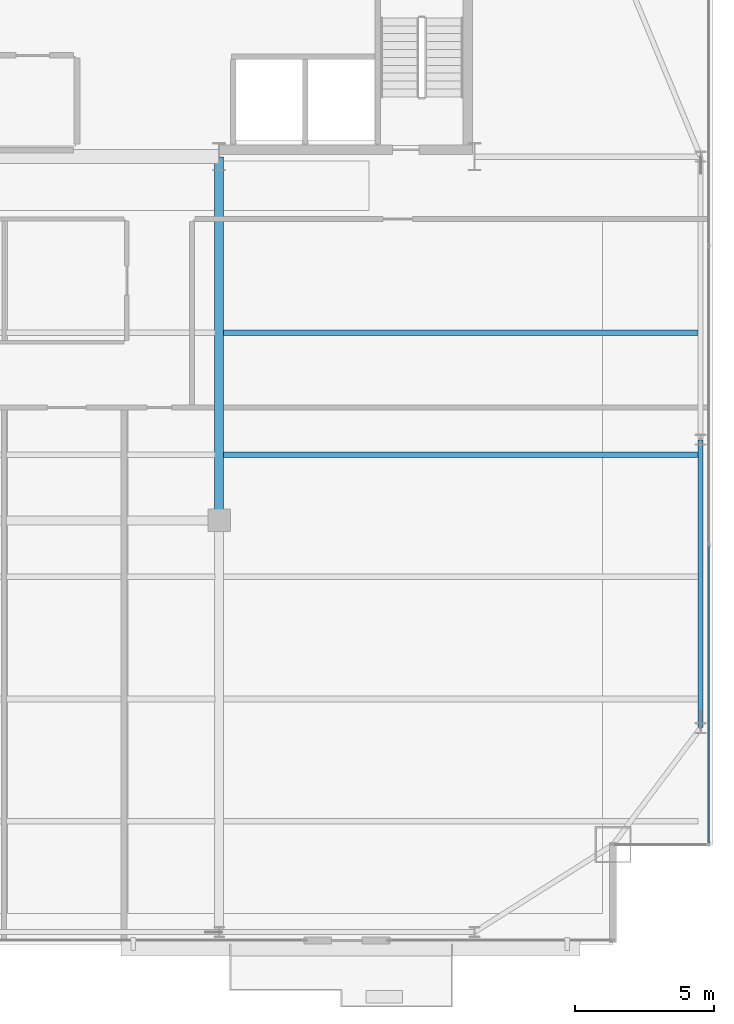
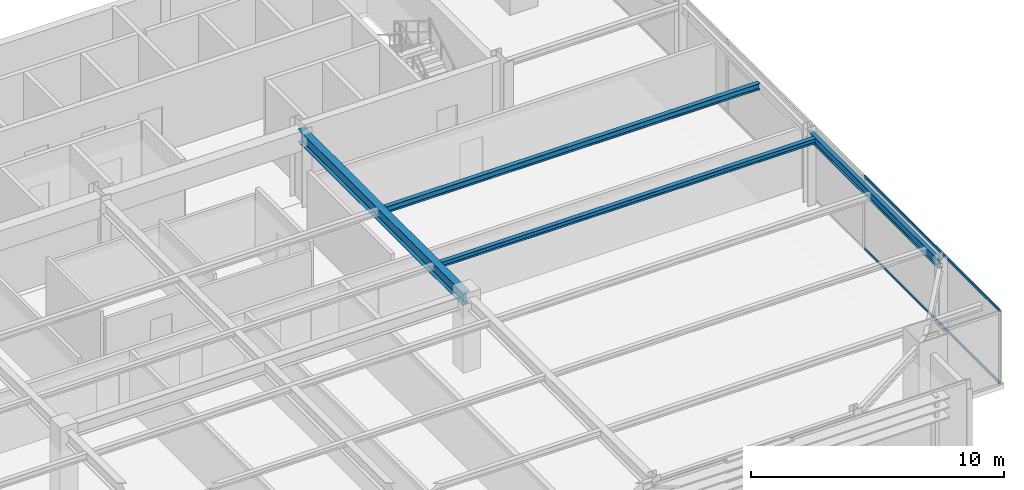
# One storey, part 17 of 31: 4 beams, 2 members, 1 element without a shape of its own.
"""IFC4 building model written with IfcOpenShell, lengths in metres."""

from ifc_helpers import new_model, si_unit, direction, frame, origin, origin_2d, place, context, subcontext, project, spatial, hollow_rectangle, i_section, extrude, source, transform, mapped, material, layer, layer_set, material_profile, profile_set, type_object, type_shapes, element, aggregate, save


model = new_model("IFC4")

# Units and contexts
model_context = context("Model", 3, precision=1e-05, world=origin(), true_north=direction((0.0, 1.0)))
body_context = subcontext(model_context, "Body", "Model", "MODEL_VIEW")
ifc_project = project(units=[si_unit("LENGTHUNIT", "METRE"), si_unit("AREAUNIT", "SQUARE_METRE"), si_unit("VOLUMEUNIT", "CUBIC_METRE"), si_unit("PLANEANGLEUNIT", "RADIAN"), si_unit("MASSUNIT", "GRAM", prefix="KILO")], contexts=[model_context])

# Site, building, storey
site_placement = place(None, origin())
site = spatial("IfcSite", under=ifc_project, at=site_placement, CompositionType="ELEMENT")
building_placement = place(site_placement, origin())
building = spatial("IfcBuilding", under=site, at=building_placement, Name="Varnel Quay Broadcast Tower", CompositionType="ELEMENT")
storey_placement = place(building_placement, frame((0.0, 0.0, 157.199951171875)))
storey = spatial("IfcBuildingStorey", under=building, at=storey_placement, Name="L38", CompositionType="ELEMENT", Elevation=157.199951171875)

# Beams
ifc_material_1 = material(Name="Structural Steel CSA G40.21 350W", Category="steel")
ifc_material_profile_1 = material_profile(ifc_material_1, i_section(OverallWidth=0.180908203125, OverallDepth=0.4169921875, WebThickness=0.010986328125, FlangeThickness=0.018310546875, FilletRadius=0.011962890625, at=origin_2d()), Name="W410X85")
ifc_profile_set_1 = profile_set([ifc_material_profile_1], Name="Structural Steel CSA G40.21 350W")
beam_type_1 = type_object("IfcBeamType", Name="Beam_W410X85", PredefinedType="SPANDREL", material=ifc_profile_set_1)
shared_shape_1 = source(origin(), body_context, "Body", "SweptSolid", [
    extrude(i_section(OverallWidth=0.180908203125, OverallDepth=0.4169921875, WebThickness=0.010986328125, FlangeThickness=0.018310546875, FilletRadius=0.011962890625, at=origin_2d()), origin(), (0.0, 0.0, 1.0), 10.35986328125),
])
type_shapes(beam_type_1, [shared_shape_1])
beam_1_placement = place(storey_placement, frame((60.550048828125, 15.02001953125, 3.341552734375), z_axis=(0.0, 1.0, 0.0), x_axis=(-1.0, 0.0, 0.0)))
element("IfcBeam", 1, at=beam_1_placement, inside=storey, type_object=beam_type_1, Name="L38 East Spandrel TC-E1-TC-E2", PredefinedType="SPANDREL", context=body_context, shape_type="MappedRepresentation", body=[
    mapped(shared_shape_1, transform((0.0, 0.0, 0.0), x_axis=(1.0, 0.0, 0.0), y_axis=(0.0, 1.0, 0.0), z_axis=(0.0, 0.0, 1.0), scale=1.0)),
])
ifc_material_profile_2 = material_profile(ifc_material_1, i_section(OverallWidth=0.324951171875, OverallDepth=0.615966796875, WebThickness=0.013916015625, FlangeThickness=0.021484375, FilletRadius=0.01611328125, at=origin_2d()), Name="W610X174")
ifc_profile_set_2 = profile_set([ifc_material_profile_2], Name="Structural Steel CSA G40.21 350W")
beam_type_2 = type_object("IfcBeamType", Name="Girder_W610X174", PredefinedType="BEAM", material=ifc_profile_set_2)
shared_shape_2 = source(origin(), body_context, "Body", "SweptSolid", [
    extrude(i_section(OverallWidth=0.324951171875, OverallDepth=0.615966796875, WebThickness=0.013916015625, FlangeThickness=0.021484375, FilletRadius=0.01611328125, at=origin_2d()), origin(), (0.0, 0.0, 1.0), 13.070068359375),
])
type_shapes(beam_type_2, [shared_shape_2])
beam_2_placement = place(storey_placement, frame((43.199951171875, 22.510009765625, 3.241943359375), z_axis=(0.0, 1.0, 0.0), x_axis=(-1.0, 0.0, 0.0)))
element("IfcBeam", 2, at=beam_2_placement, inside=storey, type_object=beam_type_2, Name="L38 Primary Girder IC-02-CC-S4", PredefinedType="BEAM", context=body_context, shape_type="MappedRepresentation", body=[
    mapped(shared_shape_2, transform((0.0, 0.0, 0.0), x_axis=(1.0, 0.0, 0.0), y_axis=(0.0, 1.0, 0.0), z_axis=(0.0, 0.0, 1.0), scale=1.0)),
])
ifc_material_profile_3 = material_profile(ifc_material_1, i_section(OverallWidth=0.202880859375, OverallDepth=0.302978515625, WebThickness=0.007568359375, FlangeThickness=0.01318359375, FilletRadius=0.011962890625, at=origin_2d()), Name="W310X60")
ifc_profile_set_3 = profile_set([ifc_material_profile_3], Name="Structural Steel CSA G40.21 350W")
beam_type_3 = type_object("IfcBeamType", Name="Beam_W310X60", PredefinedType="JOIST", material=ifc_profile_set_3)
shared_shape_3 = source(origin(), body_context, "Body", "SweptSolid", [
    extrude(i_section(OverallWidth=0.202880859375, OverallDepth=0.302978515625, WebThickness=0.007568359375, FlangeThickness=0.01318359375, FilletRadius=0.011962890625, at=origin_2d()), origin(), (0.0, 0.0, 1.0), 17.107177734375),
])
type_shapes(beam_type_3, [shared_shape_3])
beam_3_placement = place(storey_placement, frame((43.357421875, 29.25, 3.3984375), z_axis=(1.0, 0.0, 0.0), x_axis=(0.0, 1.0, 0.0)))
element("IfcBeam", 3, at=beam_3_placement, inside=storey, type_object=beam_type_3, Name="L38 East Floor Joist 5", PredefinedType="JOIST", context=body_context, shape_type="MappedRepresentation", body=[
    mapped(shared_shape_3, transform((0.0, 0.0, 0.0), x_axis=(1.0, 0.0, 0.0), y_axis=(0.0, 1.0, 0.0), z_axis=(0.0, 0.0, 1.0), scale=1.0)),
])
ifc_material_profile_4 = material_profile(ifc_material_1, i_section(OverallWidth=0.201904296875, OverallDepth=0.2470703125, WebThickness=0.00732421875, FlangeThickness=0.010986328125, FilletRadius=0.010986328125, at=origin_2d()), Name="W250X49")
ifc_profile_set_4 = profile_set([ifc_material_profile_4], Name="Structural Steel CSA G40.21 350W")
beam_type_4 = type_object("IfcBeamType", Name="Beam_W250X49", PredefinedType="JOIST", material=ifc_profile_set_4)
shared_shape_4 = source(origin(), body_context, "Body", "SweptSolid", [
    extrude(i_section(OverallWidth=0.201904296875, OverallDepth=0.2470703125, WebThickness=0.00732421875, FlangeThickness=0.010986328125, FilletRadius=0.010986328125, at=origin_2d()), origin(), (0.0, 0.0, 1.0), 17.107177734375),
])
type_shapes(beam_type_4, [shared_shape_4])
beam_4_placement = place(storey_placement, frame((43.357421875, 24.85009765625, 3.426513671875), z_axis=(1.0, 0.0, 0.0), x_axis=(0.0, 1.0, 0.0)))
element("IfcBeam", 4, at=beam_4_placement, inside=storey, type_object=beam_type_4, Name="L38 East Floor Joist 4", PredefinedType="JOIST", context=body_context, shape_type="MappedRepresentation", body=[
    mapped(shared_shape_4, transform((0.0, 0.0, 0.0), x_axis=(1.0, 0.0, 0.0), y_axis=(0.0, 1.0, 0.0), z_axis=(0.0, 0.0, 1.0), scale=1.0)),
])

# Curtain wall, members
ifc_material_2 = material(Name="Anodised Bronze Aluminium 6063-T6", Category="aluminium")
ifc_layer = layer(ifc_material_2, 0.18994140625, Name="Anodised Bronze Aluminium 6063-T6")
ifc_layer_set = layer_set([ifc_layer], Name="Anodised Bronze Aluminium 6063-T6")
curtain_wall_type = type_object("IfcCurtainWallType", Name="CW_UpperTower", PredefinedType="NOTDEFINED", material=ifc_layer_set)
curtain_wall_placement = place(storey_placement, origin())
curtain_wall = element("IfcCurtainWall", 5, at=curtain_wall_placement, inside=storey, type_object=curtain_wall_type, Name="L38 East Unitised Curtain Wall", PredefinedType="NOTDEFINED")
ifc_material_profile_5 = material_profile(ifc_material_2, hollow_rectangle(XDim=0.06005859375, YDim=0.125, WallThickness=0.0029296875, at=origin_2d()), Name="ALU60X125X3")
ifc_profile_set_5 = profile_set([ifc_material_profile_5], Name="Anodised Bronze Aluminium 6063-T6")
member_type = type_object("IfcMemberType", Name="Tran_CWS-03", PredefinedType="USERDEFINED", material=ifc_profile_set_5)
shared_shape_5 = source(origin(), body_context, "Body", "SweptSolid", [
    extrude(hollow_rectangle(XDim=0.06005859375, YDim=0.125, WallThickness=0.0029296875, at=origin_2d()), origin(), (0.0, 0.0, 1.0), 10.702392578125),
])
type_shapes(member_type, [shared_shape_5])
member_1_placement = place(storey_placement, frame((60.85009765625, 10.864990234375, 0.030029296875), z_axis=(0.0, 1.0, 0.0), x_axis=(-1.0, 0.0, 0.0)))
member_1 = element("IfcMember", 6, at=member_1_placement, type_object=member_type, Name="CWS-03 transom 1.1", ObjectType="TRANSOM", PredefinedType="USERDEFINED", context=body_context, shape_type="MappedRepresentation", body=[
    mapped(shared_shape_5, transform((0.0, 0.0, 0.0), x_axis=(1.0, 0.0, 0.0), y_axis=(0.0, 1.0, 0.0), z_axis=(0.0, 0.0, 1.0), scale=1.0)),
])
member_2_placement = place(storey_placement, frame((60.85009765625, 10.864990234375, 3.52001953125), z_axis=(0.0, 1.0, 0.0), x_axis=(-1.0, 0.0, 0.0)))
member_2 = element("IfcMember", 7, at=member_2_placement, type_object=member_type, Name="CWS-03 transom 1.2", ObjectType="TRANSOM", PredefinedType="USERDEFINED", context=body_context, shape_type="MappedRepresentation", body=[
    mapped(shared_shape_5, transform((0.0, 0.0, 0.0), x_axis=(1.0, 0.0, 0.0), y_axis=(0.0, 1.0, 0.0), z_axis=(0.0, 0.0, 1.0), scale=1.0)),
])
aggregate(curtain_wall, [member_1, member_2])

save(model, "model.ifc")
